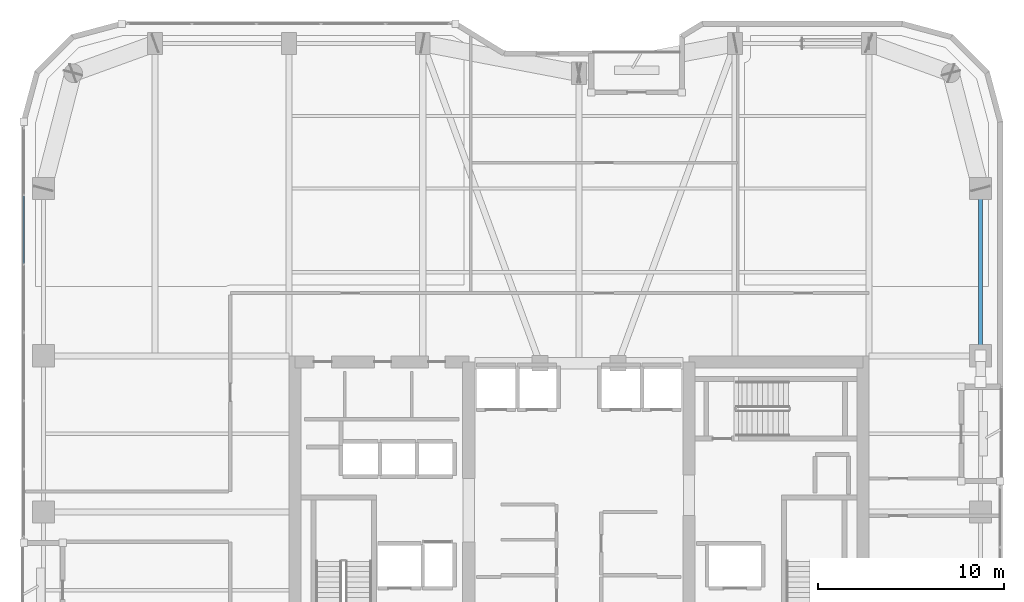
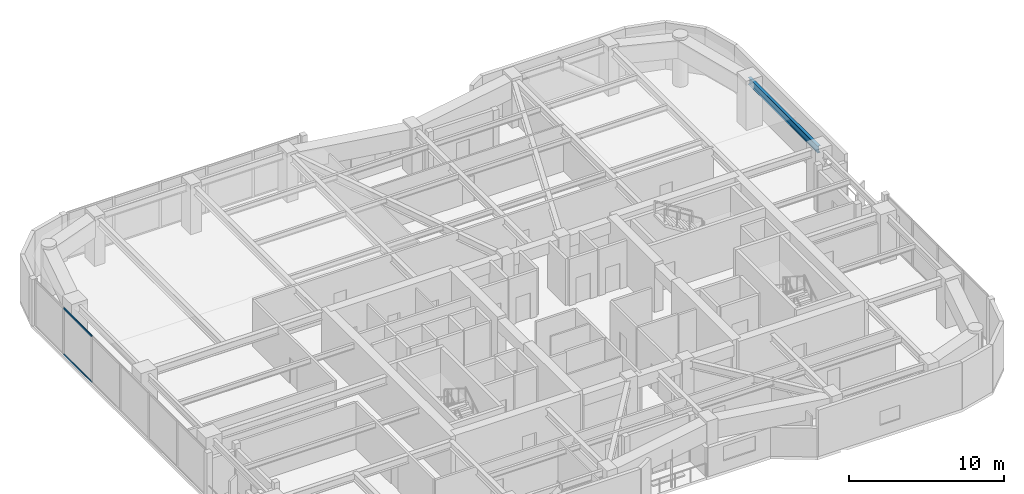
# One storey, part 12 of 30: 2 members, 1 beam, 1 element without a shape of its own.
"""IFC4 building model written with IfcOpenShell, lengths in metres."""

import ifcopenshell
import ifcopenshell.guid

model = None  # the IFC model being written
_history = None  # IfcOwnerHistory: only IFC2X3 demands one
_inside = {}  # id of a spatial element -> (the spatial element, [elements in it])
_under = {}  # id of a project, library or spatial element -> (it, [spatial elements below it])
_declared = {}  # id of a project -> (the project, [libraries it declares])
_typed = {}  # id of a type object -> (the type object, [elements of that type])
_made_of = {}  # id of a material, layer set ... -> (it, [elements and type objects made of it])


def new_model(schema):
    """Start an empty IFC model of exactly this schema.

    Asked for "IFC4X3", IfcOpenShell would pick the latest addendum, in which some entities
    have other attributes; the version numbers below select the first issue.
    IFC2X3 requires an IfcOwnerHistory on every rooted entity: one is made here for all.
    """
    global model, _history
    if schema == "IFC4X3":
        model = ifcopenshell.file(schema_version=(4, 3, 0, 0))
    else:
        model = ifcopenshell.file(schema=schema)
    _inside.clear()
    _under.clear()
    _declared.clear()
    _typed.clear()
    _made_of.clear()
    _history = None
    if model.schema == "IFC2X3":
        org = make("IfcOrganization", Name="unknown")
        user = make(
            "IfcPersonAndOrganization",
            ThePerson=make("IfcPerson", FamilyName="unknown"),
            TheOrganization=org,
        )
        app = make(
            "IfcApplication",
            ApplicationDeveloper=org,
            Version="unknown",
            ApplicationFullName="unknown",
            ApplicationIdentifier="unknown",
        )
        _history = make(
            "IfcOwnerHistory",
            OwningUser=user,
            OwningApplication=app,
            ChangeAction="ADDED",
            CreationDate=0,
        )
    return model


def make(cls, **values):
    """One entity of the class cls with the attributes given. An attribute that is None is left unset."""
    return model.create_entity(
        cls, **{name: value for name, value in values.items() if value is not None}
    )


def rooted(cls, **values):
    """An entity with a GlobalId (a new one), such as an element, a storey or a relation."""
    return make(cls, GlobalId=ifcopenshell.guid.new(), OwnerHistory=_history, **values)


def si_unit(unit_type, name, prefix=None):
    """IfcSIUnit, for example si_unit("LENGTHUNIT", "METRE", prefix="MILLI")."""
    return make("IfcSIUnit", UnitType=unit_type, Prefix=prefix, Name=name)


def assignment(units):
    """IfcUnitAssignment: the units of a project."""
    return None if units is None else make("IfcUnitAssignment", Units=units)


def point(xyz):
    """IfcCartesianPoint."""
    return None if xyz is None else make("IfcCartesianPoint", Coordinates=xyz)


def direction(xyz):
    """IfcDirection."""
    return None if xyz is None else make("IfcDirection", DirectionRatios=xyz)


def frame(location, z_axis=None, x_axis=None):
    """IfcAxis2Placement3D, a coordinate frame: its origin and axes. An axis left out is left unset."""
    return make(
        "IfcAxis2Placement3D",
        Location=point(location),
        Axis=direction(z_axis),
        RefDirection=direction(x_axis),
    )


def frame_2d(location, x_axis=None):
    """IfcAxis2Placement2D, a coordinate frame in the plane: its origin and x axis."""
    return make(
        "IfcAxis2Placement2D", Location=point(location), RefDirection=direction(x_axis)
    )


def origin():
    """The frame at (0, 0, 0) with its axes left unset."""
    return frame((0.0, 0.0, 0.0))


def origin_2d():
    """The frame at (0, 0) in the plane with its x axis left unset."""
    return frame_2d((0.0, 0.0))


def place(relative_to, where):
    """IfcLocalPlacement: puts the frame where relative to a parent placement (None: the world)."""
    return make(
        "IfcLocalPlacement", PlacementRelTo=relative_to, RelativePlacement=where
    )


def context(
    kind, dimensions, precision=None, world=None, true_north=None, identifier=None
):
    """IfcGeometricRepresentationContext, for example the 3D "Model" context."""
    return make(
        "IfcGeometricRepresentationContext",
        ContextIdentifier=identifier,
        ContextType=kind,
        CoordinateSpaceDimension=dimensions,
        Precision=precision,
        WorldCoordinateSystem=world,
        TrueNorth=true_north,
    )


def subcontext(parent, identifier, kind, view, scale=None):
    """IfcGeometricRepresentationSubContext, for example "Body" below "Model"."""
    return make(
        "IfcGeometricRepresentationSubContext",
        ContextIdentifier=identifier,
        ContextType=kind,
        ParentContext=parent,
        TargetScale=scale,
        TargetView=view,
    )


def project(units=None, contexts=None):
    """IfcProject with its units and contexts."""
    return rooted(
        "IfcProject",
        Name="project",
        RepresentationContexts=contexts,
        UnitsInContext=assignment(units),
    )


def spatial(cls, under=None, at=None, **own):
    """A site, building, storey or space (cls), placed at a placement, below another one or the project."""
    s = rooted(cls, ObjectPlacement=at, **own)
    if under is not None:
        _under.setdefault(under.id(), (under, []))[1].append(s)
    return s


def profile(cls, at=None, kind="AREA", **sizes):
    """A parametric profile (cls). Its sizes go by their IFC names, for example OverallWidth=200.0."""
    return make(cls, ProfileType=kind, Position=at, **sizes)


def hollow_rectangle(**sizes):
    """IfcRectangleHollowProfileDef."""
    return profile("IfcRectangleHollowProfileDef", **sizes)


def i_section(**sizes):
    """IfcIShapeProfileDef."""
    return profile("IfcIShapeProfileDef", **sizes)


def extrude(swept, where, along, depth):
    """IfcExtrudedAreaSolid: the profile swept, set in the frame where, extruded along a direction by depth."""
    return make(
        "IfcExtrudedAreaSolid",
        SweptArea=swept,
        Position=where,
        ExtrudedDirection=direction(along),
        Depth=depth,
    )


def shape(context_of_items, identifier, shape_type, items):
    """IfcShapeRepresentation: the items that make up one representation, for example the "Body"."""
    return make(
        "IfcShapeRepresentation",
        ContextOfItems=context_of_items,
        RepresentationIdentifier=identifier,
        RepresentationType=shape_type,
        Items=items,
    )


def material(Name=None, Category=None):
    """IfcMaterial."""
    return make("IfcMaterial", Name=Name, Category=Category)


def layer(
    of_material, thickness, ventilated=None, Name=None, Category=None, Priority=None
):
    """IfcMaterialLayer: one layer of a wall or slab, of a material (None: an air gap)."""
    return make(
        "IfcMaterialLayer",
        Material=of_material,
        LayerThickness=thickness,
        IsVentilated=ventilated,
        Name=Name,
        Category=Category,
        Priority=Priority,
    )


def layer_set(layers, Name=None):
    """IfcMaterialLayerSet."""
    return make("IfcMaterialLayerSet", MaterialLayers=layers, LayerSetName=Name)


def material_profile(
    of_material, cross_section, Name=None, Category=None, Priority=None
):
    """IfcMaterialProfile: a cross section and its material."""
    return make(
        "IfcMaterialProfile",
        Name=Name,
        Material=of_material,
        Profile=cross_section,
        Priority=Priority,
        Category=Category,
    )


def profile_set(profiles, Name=None, composite=None):
    """IfcMaterialProfileSet."""
    return make(
        "IfcMaterialProfileSet",
        Name=Name,
        MaterialProfiles=profiles,
        CompositeProfile=composite,
    )


def made_of(thing, what):
    """Note that an element or type object is made of a material, layer set ...; save() writes the relation."""
    if what is not None:
        _made_of.setdefault(what.id(), (what, []))[1].append(thing)
    return thing


def type_object(cls, material=None, **own):
    """A type object (cls), such as IfcWallType, which elements share."""
    return made_of(rooted(cls, **own), material)


def element(
    cls,
    number,
    at=None,
    inside=None,
    cuts=None,
    type_object=None,
    material=None,
    context=None,
    identifier="Body",
    shape_type=None,
    held_by="IfcProductDefinitionShape",
    body=None,
    shapes=None,
    **own,
):
    """One element of the class cls, such as IfcWall. Its Tag is "e" and its number.

    at: its placement. inside: the storey or other place that contains it. cuts: it is an
    opening in that element (IfcRelVoidsElement). A single representation is given by context,
    identifier, shape_type and body (its items); several are given by shapes. held_by: the class
    of the entity that holds the representations. save() writes the other relations.
    """
    e = rooted(cls, Tag="e%d" % number, ObjectPlacement=at, **own)
    if body is not None:
        shapes = [shape(context, identifier, shape_type, body)]
    if shapes is not None:
        e.Representation = make(held_by, Representations=shapes)
    if inside is not None:
        _inside.setdefault(inside.id(), (inside, []))[1].append(e)
    if cuts is not None:
        rooted(
            "IfcRelVoidsElement", RelatingBuildingElement=cuts, RelatedOpeningElement=e
        )
    if type_object is not None:
        _typed.setdefault(type_object.id(), (type_object, []))[1].append(e)
    return made_of(e, material)


def aggregate(whole, parts):
    """IfcRelAggregates: a whole, such as a stair, and the parts it consists of."""
    return rooted("IfcRelAggregates", RelatingObject=whole, RelatedObjects=parts)


def save(model, path):
    """Write the relations noted so far, then the file.

    IfcRelAggregates (storeys below a building ...), IfcRelContainedInSpatialStructure (elements
    in a storey), IfcRelDefinesByType, IfcRelAssociatesMaterial and IfcRelDeclares: one each for
    every whole, place, type object, material and project.
    """
    for whole, parts in _under.values():
        aggregate(whole, parts)
    for where, things in _inside.values():
        rooted(
            "IfcRelContainedInSpatialStructure",
            RelatedElements=things,
            RelatingStructure=where,
        )
    for kind, things in _typed.values():
        rooted("IfcRelDefinesByType", RelatedObjects=things, RelatingType=kind)
    for what, things in _made_of.values():
        rooted("IfcRelAssociatesMaterial", RelatedObjects=things, RelatingMaterial=what)
    for by, libraries in _declared.values():
        rooted("IfcRelDeclares", RelatingContext=by, RelatedDefinitions=libraries)
    model.write(path)


model = new_model("IFC4")

# Units and contexts
model_context = context("Model", 3, precision=1e-05, world=origin(), true_north=direction((0.0, 1.0)))
body_context = subcontext(model_context, "Body", "Model", "MODEL_VIEW")
ifc_project = project(units=[si_unit("LENGTHUNIT", "METRE"), si_unit("AREAUNIT", "SQUARE_METRE"), si_unit("VOLUMEUNIT", "CUBIC_METRE"), si_unit("PLANEANGLEUNIT", "RADIAN"), si_unit("MASSUNIT", "GRAM", prefix="KILO")], contexts=[model_context])

# Site, building, storey
site_placement = place(None, origin())
site = spatial("IfcSite", under=ifc_project, at=site_placement, CompositionType="ELEMENT")
building_placement = place(site_placement, origin())
building = spatial("IfcBuilding", under=site, at=building_placement, Name="Kiyonajd Concourse Tower", CompositionType="ELEMENT")
storey_placement = place(building_placement, frame((0.0, 0.0, 194.10009765625)))
storey = spatial("IfcBuildingStorey", under=building, at=storey_placement, Name="L49", CompositionType="ELEMENT", Elevation=194.10009765625)

# Beam
ifc_material_1 = material(Name="Steel ASTM A992 Grade 50", Category="steel")
ifc_material_profile_1 = material_profile(ifc_material_1, i_section(OverallWidth=0.214111328125, OverallDepth=0.549072265625, WebThickness=0.0146484375, FlangeThickness=0.023681640625, at=origin_2d()), Name="W530X138")
ifc_profile_set_1 = profile_set([ifc_material_profile_1], Name="Steel ASTM A992 Grade 50")
beam_type = type_object("IfcBeamType", Name="BM-SPAN-530A", PredefinedType="SPANDREL", material=ifc_profile_set_1)
beam_placement = place(storey_placement, frame((69.60009765625, 44.39990234375, 3.405517578125), z_axis=(0.0, 1.0, 0.0), x_axis=(-1.0, 0.0, 0.0)))
element("IfcBeam", 1, at=beam_placement, inside=storey, type_object=beam_type, Name="L49 Perimeter Bundled Tube Spandrel", PredefinedType="SPANDREL", context=body_context, shape_type="SweptSolid", body=[
    extrude(i_section(OverallWidth=0.214111328125, OverallDepth=0.549072265625, WebThickness=0.0146484375, FlangeThickness=0.023681640625, at=origin_2d()), origin(), (0.0, 0.0, 1.0), 9.0),
])

# Curtain wall, members
ifc_material_2 = material(Name="Thermally Broken Anodised Aluminium", Category="aluminium")
ifc_layer = layer(ifc_material_2, 0.179931640625)
ifc_layer_set = layer_set([ifc_layer], Name="Thermally Broken Anodised Aluminium")
curtain_wall_type = type_object("IfcCurtainWallType", Name="CW-SYS-03", PredefinedType="NOTDEFINED", material=ifc_layer_set)
curtain_wall_placement = place(storey_placement, origin())
curtain_wall = element("IfcCurtainWall", 2, at=curtain_wall_placement, inside=storey, type_object=curtain_wall_type, Name="L49 Unitised Curtain Wall CW3", PredefinedType="NOTDEFINED")
ifc_material_profile_2 = material_profile(ifc_material_2, hollow_rectangle(XDim=0.06494140625, YDim=0.139892578125, WallThickness=0.00390625, at=origin_2d()), Name="TRAN-65x140")
ifc_profile_set_2 = profile_set([ifc_material_profile_2], Name="Thermally Broken Anodised Aluminium")
member_type = type_object("IfcMemberType", Name="MB-CW-TRAN1", PredefinedType="USERDEFINED", material=ifc_profile_set_2)
member_1_placement = place(storey_placement, frame((18.139892578125, 49.3701171875, 0.032470703125), z_axis=(0.0, 1.0, 0.0), x_axis=(-1.0, 0.0, 0.0)))
member_1 = element("IfcMember", 3, at=member_1_placement, type_object=member_type, Name="CW3 transom 5.1", ObjectType="TRANSOM", PredefinedType="USERDEFINED", context=body_context, shape_type="SweptSolid", body=[
    extrude(hollow_rectangle(XDim=0.06494140625, YDim=0.139892578125, WallThickness=0.00390625, at=origin_2d()), origin(), (0.0, 0.0, 1.0), 3.612060546875),
])
member_2_placement = place(storey_placement, frame((18.139892578125, 49.3701171875, 3.6474609375), z_axis=(0.0, 1.0, 0.0), x_axis=(-1.0, 0.0, 0.0)))
member_2 = element("IfcMember", 4, at=member_2_placement, type_object=member_type, Name="CW3 transom 5.2", ObjectType="TRANSOM", PredefinedType="USERDEFINED", context=body_context, shape_type="SweptSolid", body=[
    extrude(hollow_rectangle(XDim=0.06494140625, YDim=0.139892578125, WallThickness=0.00390625, at=origin_2d()), origin(), (0.0, 0.0, 1.0), 3.612060546875),
])
aggregate(curtain_wall, [member_1, member_2])

save(model, "model.ifc")
